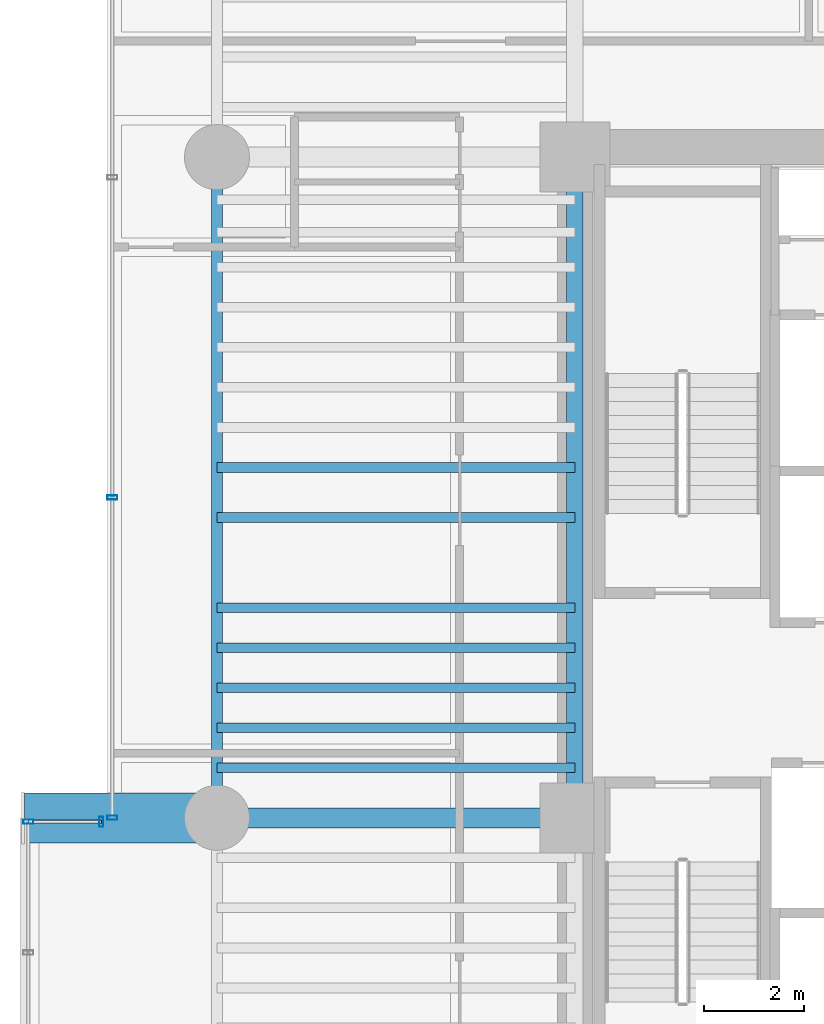
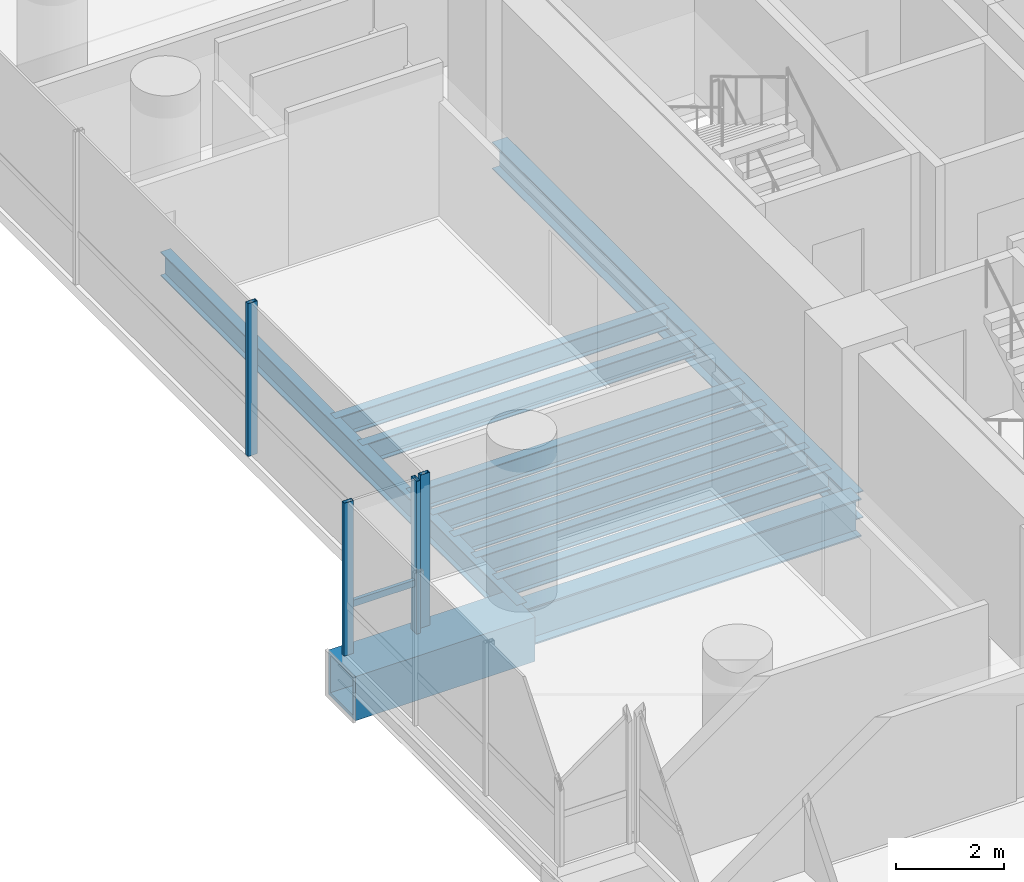
# One storey, part 8 of 41: 11 beams, 5 members, 3 elements without a shape of their own.
"""IFC4 building model written with IfcOpenShell, lengths in metres."""

from ifc_helpers import new_model, si_unit, direction, frame, origin, origin_2d, place, context, subcontext, project, spatial, hollow_rectangle, i_section, extrude, source, transform, mapped, material, material_profile, profile_set, type_object, element, aggregate, save


model = new_model("IFC4")

# Units and contexts
model_context = context("Model", 3, precision=1e-05, world=origin(), true_north=direction((0.0, 1.0)))
body_context = subcontext(model_context, "Body", "Model", "MODEL_VIEW")
ifc_project = project(units=[si_unit("LENGTHUNIT", "METRE"), si_unit("AREAUNIT", "SQUARE_METRE"), si_unit("VOLUMEUNIT", "CUBIC_METRE"), si_unit("PLANEANGLEUNIT", "RADIAN"), si_unit("MASSUNIT", "GRAM", prefix="KILO")], contexts=[model_context])

# Site, building, storey
site_placement = place(None, origin())
site = spatial("IfcSite", under=ifc_project, at=site_placement, CompositionType="ELEMENT")
building_placement = place(site_placement, origin())
building = spatial("IfcBuilding", under=site, at=building_placement, Name="Valdorenza Pilgrim Sanctuary Tower", CompositionType="ELEMENT")
storey_placement = place(building_placement, frame((0.0, 0.0, 63.0)))
storey = spatial("IfcBuildingStorey", under=building, at=storey_placement, Name="L15", CompositionType="ELEMENT", Elevation=63.0)

# Beams
ifc_material_1 = material(Name="Steel ASTM A992 Grade 50", Category="steel")
ifc_material_profile_1 = material_profile(ifc_material_1, i_section(OverallWidth=0.214111328125, OverallDepth=0.549072265625, WebThickness=0.0146484375, FlangeThickness=0.023681640625, at=origin_2d()), Name="W21X93")
ifc_profile_set_1 = profile_set([ifc_material_profile_1], Name="Steel ASTM A992 Grade 50")
beam_type_1 = type_object("IfcBeamType", Name="STR-BM-SPN-W21A", PredefinedType="SPANDREL", material=ifc_profile_set_1)
shared_shape_1 = source(origin(), body_context, "Body", "SweptSolid", [
    extrude(i_section(OverallWidth=0.214111328125, OverallDepth=0.549072265625, WebThickness=0.0146484375, FlangeThickness=0.023681640625, at=origin_2d()), origin(), (0.0, 0.0, 1.0), 13.2001953125),
])
beam_1_placement = place(storey_placement, frame((-29.800048828125, -2.60009765625, -0.514404296875), z_axis=(0.0, 1.0, 0.0), x_axis=(-1.0, 0.0, 0.0)))
element("IfcBeam", 1, at=beam_1_placement, inside=storey, type_object=beam_type_1, Name="L15 Spandrel Beam WA-W-M0N1", PredefinedType="SPANDREL", context=body_context, shape_type="MappedRepresentation", body=[
    mapped(shared_shape_1, transform((0.0, 0.0, 0.0), x_axis=(1.0, 0.0, 0.0), y_axis=(0.0, 1.0, 0.0), z_axis=(0.0, 0.0, 1.0), scale=1.0)),
])
ifc_material_profile_2 = material_profile(ifc_material_1, i_section(OverallWidth=0.323974609375, OverallDepth=0.611083984375, WebThickness=0.0126953125, FlangeThickness=0.01904296875, at=origin_2d()), Name="W24X104")
ifc_profile_set_2 = profile_set([ifc_material_profile_2], Name="Steel ASTM A992 Grade 50")
beam_type_2 = type_object("IfcBeamType", Name="STR-BM-GRD-W24B", PredefinedType="BEAM", material=ifc_profile_set_2)
shared_shape_2 = source(origin(), body_context, "Body", "SweptSolid", [
    extrude(i_section(OverallWidth=0.323974609375, OverallDepth=0.611083984375, WebThickness=0.0126953125, FlangeThickness=0.01904296875, at=origin_2d()), origin(), (0.0, 0.0, 1.0), 13.2001953125),
])
beam_2_placement = place(storey_placement, frame((-22.64990234375, -2.60009765625, -0.54541015625), z_axis=(0.0, 1.0, 0.0), x_axis=(-1.0, 0.0, 0.0)))
element("IfcBeam", 2, at=beam_2_placement, inside=storey, type_object=beam_type_2, Name="L15 Core Tie Girder CA-W-M0N1", PredefinedType="BEAM", context=body_context, shape_type="MappedRepresentation", body=[
    mapped(shared_shape_2, transform((0.0, 0.0, 0.0), x_axis=(1.0, 0.0, 0.0), y_axis=(0.0, 1.0, 0.0), z_axis=(0.0, 0.0, 1.0), scale=1.0)),
])
ifc_material_profile_3 = material_profile(ifc_material_1, i_section(OverallWidth=0.193115234375, OverallDepth=0.466064453125, WebThickness=0.011474609375, FlangeThickness=0.01904296875, at=origin_2d()), Name="W18X65")
ifc_profile_set_3 = profile_set([ifc_material_profile_3], Name="Steel ASTM A992 Grade 50")
beam_type_3 = type_object("IfcBeamType", Name="STR-BM-JST-W18A", PredefinedType="JOIST", material=ifc_profile_set_3)
shared_shape_3 = source(origin(), body_context, "Body", "SweptSolid", [
    extrude(i_section(OverallWidth=0.193115234375, OverallDepth=0.466064453125, WebThickness=0.011474609375, FlangeThickness=0.01904296875, at=origin_2d()), origin(), (0.0, 0.0, 1.0), 7.150146484375),
])
for number, where, z_axis, x_axis, name in (
    (3, (-29.800048828125, -1.60009765625, -0.472900390625), (1.0, 0.0, 0.0), (0.0, 1.0, 0.0), "L15 Composite Floor Joist JST-WA-10"),
    (4, (-29.800048828125, -0.800048828125, -0.472900390625), (1.0, 0.0, 0.0), (0.0, 1.0, 0.0), "L15 Composite Floor Joist JST-WA-11"),
    (5, (-29.800048828125, 0.0, -0.472900390625), (1.0, 0.0, 0.0), (0.0, 1.0, 0.0), "L15 Composite Floor Joist JST-WA-12"),
    (6, (-29.800048828125, 0.800048828125, -0.472900390625), (1.0, 0.0, 0.0), (0.0, 1.0, 0.0), "L15 Composite Floor Joist JST-WA-13"),
    (7, (-29.800048828125, 1.60009765625, -0.472900390625), (1.0, 0.0, 0.0), (0.0, 1.0, 0.0), "L15 Composite Floor Joist JST-WA-14"),
    (8, (-29.800048828125, 3.39990234375, -0.472900390625), (1.0, 0.0, 0.0), (0.0, 1.0, 0.0), "L15 Composite Floor Joist JST-WA-15"),
    (9, (-29.800048828125, 4.39990234375, -0.472900390625), (1.0, 0.0, 0.0), (0.0, 1.0, 0.0), "L15 Composite Floor Joist JST-WA-16"),
):
    element("IfcBeam", number, at=place(storey_placement, frame(where, z_axis=z_axis, x_axis=x_axis)), inside=storey, type_object=beam_type_3, Name=name, PredefinedType="JOIST", context=body_context, shape_type="MappedRepresentation", body=[
        mapped(shared_shape_3, transform((0.0, 0.0, 0.0), x_axis=(1.0, 0.0, 0.0), y_axis=(0.0, 1.0, 0.0), z_axis=(0.0, 0.0, 1.0), scale=1.0)),
    ])
ifc_material_2 = material(Name="Steel ASTM A572 Grade 42", Category="steel")
ifc_material_profile_4 = material_profile(ifc_material_2, hollow_rectangle(XDim=1.0, YDim=1.0, WallThickness=0.080078125, at=origin_2d()), Name="BOX 1000x1000x80")
ifc_profile_set_4 = profile_set([ifc_material_profile_4], Name="Steel ASTM A572 Grade 42")
beam_type_4 = type_object("IfcBeamType", Name="STR-BM-PROW-CANT", PredefinedType="BEAM", material=ifc_profile_set_4)
shared_shape_4 = source(origin(), body_context, "Body", "SweptSolid", [
    extrude(hollow_rectangle(XDim=1.0, YDim=1.0, WallThickness=0.080078125, at=origin_2d()), origin(), (0.0, 0.0, 1.0), 3.849853515625),
])
beam_3_placement = place(storey_placement, frame((-29.800048828125, -2.60009765625, -0.739990234375), z_axis=(-1.0, 0.0, 0.0), x_axis=(0.0, -1.0, 0.0)))
element("IfcBeam", 10, at=beam_3_placement, inside=storey, type_object=beam_type_4, Name="L15 Glass Box Cantilever Beam BOX-WA-L15-CT-N", PredefinedType="BEAM", context=body_context, shape_type="MappedRepresentation", body=[
    mapped(shared_shape_4, transform((0.0, 0.0, 0.0), x_axis=(1.0, 0.0, 0.0), y_axis=(0.0, 1.0, 0.0), z_axis=(0.0, 0.0, 1.0), scale=1.0)),
])
ifc_material_profile_5 = material_profile(ifc_material_1, i_section(OverallWidth=0.39990234375, OverallDepth=0.862060546875, WebThickness=0.019775390625, FlangeThickness=0.032470703125, at=origin_2d()), Name="W33X221")
ifc_profile_set_5 = profile_set([ifc_material_profile_5], Name="Steel ASTM A992 Grade 50")
beam_type_5 = type_object("IfcBeamType", Name="STR-BM-GRD-W33", PredefinedType="BEAM", material=ifc_profile_set_5)
shared_shape_5 = source(origin(), body_context, "Body", "SweptSolid", [
    extrude(i_section(OverallWidth=0.39990234375, OverallDepth=0.862060546875, WebThickness=0.019775390625, FlangeThickness=0.032470703125, at=origin_2d()), origin(), (0.0, 0.0, 1.0), 7.150146484375),
])
beam_4_placement = place(storey_placement, frame((-29.800048828125, -2.60009765625, -0.6708984375), z_axis=(1.0, 0.0, 0.0), x_axis=(0.0, 1.0, 0.0)))
element("IfcBeam", 11, at=beam_4_placement, inside=storey, type_object=beam_type_5, Name="L15 Floor Girder WA-XW-M0", PredefinedType="BEAM", context=body_context, shape_type="MappedRepresentation", body=[
    mapped(shared_shape_5, transform((0.0, 0.0, 0.0), x_axis=(1.0, 0.0, 0.0), y_axis=(0.0, 1.0, 0.0), z_axis=(0.0, 0.0, 1.0), scale=1.0)),
])

# Curtain wall, members
ifc_material_3 = material(Name="Curtain-wall IGU glazing", Category="glass")
curtain_wall_type = type_object("IfcCurtainWallType", Name="CW-SYS-02", PredefinedType="NOTDEFINED", material=ifc_material_3)
curtain_wall_1_placement = place(storey_placement, origin())
curtain_wall_1 = element("IfcCurtainWall", 12, at=curtain_wall_1_placement, inside=storey, type_object=curtain_wall_type, Name="L15 Curtain Wall CW-L15-1-1S2", PredefinedType="NOTDEFINED")
ifc_material_4 = material(Name="Anodised aluminium AW-6060", Category="aluminium")
ifc_material_profile_6 = material_profile(ifc_material_4, hollow_rectangle(XDim=0.0849609375, YDim=0.199951171875, WallThickness=0.0048828125, at=origin_2d()), Name="ALU-M 200x85x5")
ifc_profile_set_6 = profile_set([ifc_material_profile_6], Name="Anodised aluminium AW-6060")
member_type_1 = type_object("IfcMemberType", Name="CW-MUL-02", PredefinedType="MULLION", material=ifc_profile_set_6)
shared_shape_6 = source(origin(), body_context, "Body", "SweptSolid", [
    extrude(hollow_rectangle(XDim=0.0849609375, YDim=0.199951171875, WallThickness=0.0048828125, at=origin_2d()), origin(), (0.0, 0.0, 1.0), 3.4599609375),
])
member_1_placement = place(storey_placement, frame((-31.889892578125, -2.60009765625, 0.0), z_axis=(0.0, 0.0, 1.0), x_axis=(0.0, 1.0, 0.0)))
member_1 = element("IfcMember", 13, at=member_1_placement, type_object=member_type_1, Name="CW-L15-1-1S2 Mullion 1", PredefinedType="MULLION", context=body_context, shape_type="MappedRepresentation", body=[
    mapped(shared_shape_6, transform((0.0, 0.0, 0.0), x_axis=(1.0, 0.0, 0.0), y_axis=(0.0, 1.0, 0.0), z_axis=(0.0, 0.0, 1.0), scale=1.0)),
])
member_2_placement = place(storey_placement, frame((-31.889892578125, 3.798095703125, 0.0), z_axis=(0.0, 0.0, 1.0), x_axis=(0.0, 1.0, 0.0)))
member_2 = element("IfcMember", 14, at=member_2_placement, type_object=member_type_1, Name="CW-L15-1-1S2 Mullion 2", PredefinedType="MULLION", context=body_context, shape_type="MappedRepresentation", body=[
    mapped(shared_shape_6, transform((0.0, 0.0, 0.0), x_axis=(1.0, 0.0, 0.0), y_axis=(0.0, 1.0, 0.0), z_axis=(0.0, 0.0, 1.0), scale=1.0)),
])
aggregate(curtain_wall_1, [member_1, member_2])

# Curtain wall, member
curtain_wall_2_placement = place(storey_placement, origin())
curtain_wall_2 = element("IfcCurtainWall", 15, at=curtain_wall_2_placement, inside=storey, type_object=curtain_wall_type, Name="L15 Curtain Wall CW-L15-BOX-WA-L15-F", PredefinedType="NOTDEFINED")
member_3_placement = place(storey_placement, frame((-33.570068359375, -2.679931640625, 0.0), z_axis=(0.0, 0.0, 1.0), x_axis=(0.0, 1.0, 0.0)))
member_3 = element("IfcMember", 16, at=member_3_placement, type_object=member_type_1, Name="CW-L15-BOX-WA-L15-F Mullion 4", PredefinedType="MULLION", context=body_context, shape_type="MappedRepresentation", body=[
    mapped(shared_shape_6, transform((0.0, 0.0, 0.0), x_axis=(1.0, 0.0, 0.0), y_axis=(0.0, 1.0, 0.0), z_axis=(0.0, 0.0, 1.0), scale=1.0)),
])
aggregate(curtain_wall_2, [member_3])

# Curtain wall, members
curtain_wall_3_placement = place(storey_placement, origin())
curtain_wall_3 = element("IfcCurtainWall", 17, at=curtain_wall_3_placement, inside=storey, type_object=curtain_wall_type, Name="L15 Curtain Wall CW-L15-BOX-WA-L15-N", PredefinedType="NOTDEFINED")
member_4_placement = place(storey_placement, frame((-32.110107421875, -2.679931640625, 0.0), z_axis=(0.0, 0.0, 1.0), x_axis=(1.0, 0.0, 0.0)))
member_4 = element("IfcMember", 18, at=member_4_placement, type_object=member_type_1, Name="CW-L15-BOX-WA-L15-N Mullion 2", PredefinedType="MULLION", context=body_context, shape_type="MappedRepresentation", body=[
    mapped(shared_shape_6, transform((0.0, 0.0, 0.0), x_axis=(1.0, 0.0, 0.0), y_axis=(0.0, 1.0, 0.0), z_axis=(0.0, 0.0, 1.0), scale=1.0)),
])
ifc_material_profile_7 = material_profile(ifc_material_4, hollow_rectangle(XDim=0.074951171875, YDim=0.14990234375, WallThickness=0.00390625, at=origin_2d()), Name="ALU-T 150x75x4")
ifc_profile_set_7 = profile_set([ifc_material_profile_7], Name="Anodised aluminium AW-6060")
member_type_2 = type_object("IfcMemberType", Name="CW-TRN-02", PredefinedType="USERDEFINED", material=ifc_profile_set_7)
shared_shape_7 = source(origin(), body_context, "Body", "SweptSolid", [
    extrude(hollow_rectangle(XDim=0.074951171875, YDim=0.14990234375, WallThickness=0.00390625, at=origin_2d()), origin(), (0.0, 0.0, 1.0), 1.4599609375),
])
member_5_placement = place(storey_placement, frame((-33.570068359375, -2.679931640625, 1.1201171875), z_axis=(1.0, 0.0, 0.0), x_axis=(0.0, 1.0, 0.0)))
member_5 = element("IfcMember", 19, at=member_5_placement, type_object=member_type_2, Name="CW-L15-BOX-WA-L15-N Transom 1", ObjectType="TRANSOM", PredefinedType="USERDEFINED", context=body_context, shape_type="MappedRepresentation", body=[
    mapped(shared_shape_7, transform((0.0, 0.0, 0.0), x_axis=(1.0, 0.0, 0.0), y_axis=(0.0, 1.0, 0.0), z_axis=(0.0, 0.0, 1.0), scale=1.0)),
])
aggregate(curtain_wall_3, [member_4, member_5])

save(model, "model.ifc")
